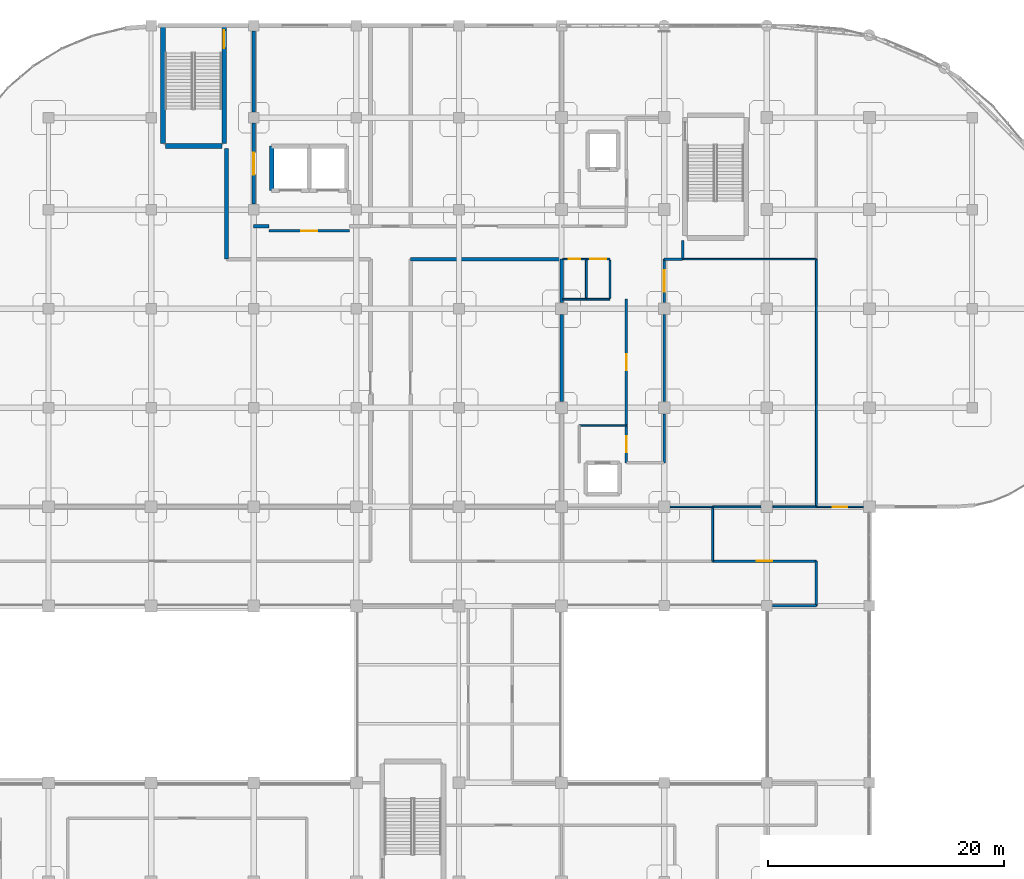
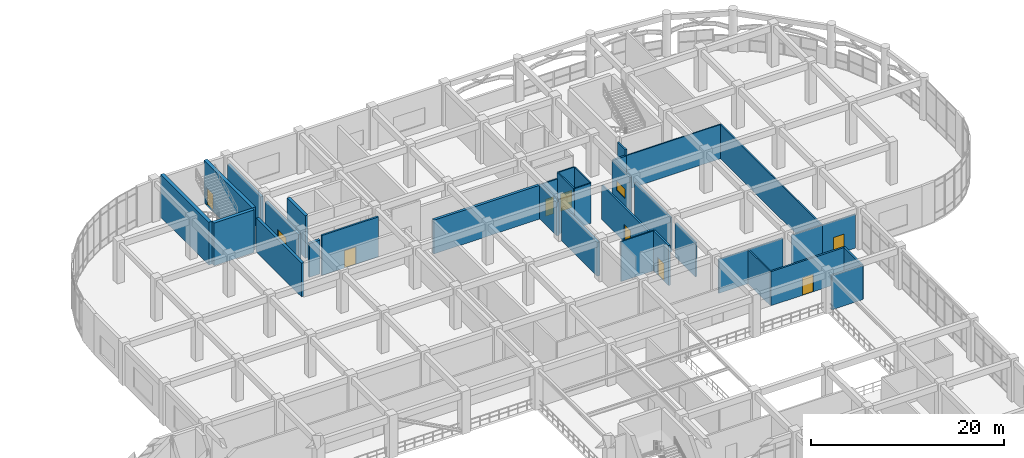
# One storey, part 97 of 114: 36 walls, 9 doors, 1 window, 10 openings.
"""IFC4 building model written with IfcOpenShell, lengths in metres."""

import ifcopenshell
import ifcopenshell.guid

model = None  # the IFC model being written
_history = None  # IfcOwnerHistory: only IFC2X3 demands one
_inside = {}  # id of a spatial element -> (the spatial element, [elements in it])
_under = {}  # id of a project, library or spatial element -> (it, [spatial elements below it])
_declared = {}  # id of a project -> (the project, [libraries it declares])
_typed = {}  # id of a type object -> (the type object, [elements of that type])
_made_of = {}  # id of a material, layer set ... -> (it, [elements and type objects made of it])


def new_model(schema):
    """Start an empty IFC model of exactly this schema.

    Asked for "IFC4X3", IfcOpenShell would pick the latest addendum, in which some entities
    have other attributes; the version numbers below select the first issue.
    IFC2X3 requires an IfcOwnerHistory on every rooted entity: one is made here for all.
    """
    global model, _history
    if schema == "IFC4X3":
        model = ifcopenshell.file(schema_version=(4, 3, 0, 0))
    else:
        model = ifcopenshell.file(schema=schema)
    _inside.clear()
    _under.clear()
    _declared.clear()
    _typed.clear()
    _made_of.clear()
    _history = None
    if model.schema == "IFC2X3":
        org = make("IfcOrganization", Name="unknown")
        user = make(
            "IfcPersonAndOrganization",
            ThePerson=make("IfcPerson", FamilyName="unknown"),
            TheOrganization=org,
        )
        app = make(
            "IfcApplication",
            ApplicationDeveloper=org,
            Version="unknown",
            ApplicationFullName="unknown",
            ApplicationIdentifier="unknown",
        )
        _history = make(
            "IfcOwnerHistory",
            OwningUser=user,
            OwningApplication=app,
            ChangeAction="ADDED",
            CreationDate=0,
        )
    return model


def make(cls, **values):
    """One entity of the class cls with the attributes given. An attribute that is None is left unset."""
    return model.create_entity(
        cls, **{name: value for name, value in values.items() if value is not None}
    )


def rooted(cls, **values):
    """An entity with a GlobalId (a new one), such as an element, a storey or a relation."""
    return make(cls, GlobalId=ifcopenshell.guid.new(), OwnerHistory=_history, **values)


def si_unit(unit_type, name, prefix=None):
    """IfcSIUnit, for example si_unit("LENGTHUNIT", "METRE", prefix="MILLI")."""
    return make("IfcSIUnit", UnitType=unit_type, Prefix=prefix, Name=name)


def derived_unit(unit_type, elements):
    """IfcDerivedUnit: a product of units, each with its exponent."""
    return make(
        "IfcDerivedUnit",
        Elements=[
            make("IfcDerivedUnitElement", Unit=unit, Exponent=power)
            for unit, power in elements
        ],
        UnitType=unit_type,
    )


def assignment(units):
    """IfcUnitAssignment: the units of a project."""
    return None if units is None else make("IfcUnitAssignment", Units=units)


def point(xyz):
    """IfcCartesianPoint."""
    return None if xyz is None else make("IfcCartesianPoint", Coordinates=xyz)


def direction(xyz):
    """IfcDirection."""
    return None if xyz is None else make("IfcDirection", DirectionRatios=xyz)


def frame(location, z_axis=None, x_axis=None):
    """IfcAxis2Placement3D, a coordinate frame: its origin and axes. An axis left out is left unset."""
    return make(
        "IfcAxis2Placement3D",
        Location=point(location),
        Axis=direction(z_axis),
        RefDirection=direction(x_axis),
    )


def frame_2d(location, x_axis=None):
    """IfcAxis2Placement2D, a coordinate frame in the plane: its origin and x axis."""
    return make(
        "IfcAxis2Placement2D", Location=point(location), RefDirection=direction(x_axis)
    )


def origin():
    """The frame at (0, 0, 0) with its axes left unset."""
    return frame((0.0, 0.0, 0.0))


def place(relative_to, where):
    """IfcLocalPlacement: puts the frame where relative to a parent placement (None: the world)."""
    return make(
        "IfcLocalPlacement", PlacementRelTo=relative_to, RelativePlacement=where
    )


def context(
    kind, dimensions, precision=None, world=None, true_north=None, identifier=None
):
    """IfcGeometricRepresentationContext, for example the 3D "Model" context."""
    return make(
        "IfcGeometricRepresentationContext",
        ContextIdentifier=identifier,
        ContextType=kind,
        CoordinateSpaceDimension=dimensions,
        Precision=precision,
        WorldCoordinateSystem=world,
        TrueNorth=true_north,
    )


def subcontext(parent, identifier, kind, view, scale=None):
    """IfcGeometricRepresentationSubContext, for example "Body" below "Model"."""
    return make(
        "IfcGeometricRepresentationSubContext",
        ContextIdentifier=identifier,
        ContextType=kind,
        ParentContext=parent,
        TargetScale=scale,
        TargetView=view,
    )


def project(units=None, contexts=None):
    """IfcProject with its units and contexts."""
    return rooted(
        "IfcProject",
        Name="project",
        RepresentationContexts=contexts,
        UnitsInContext=assignment(units),
    )


def spatial(cls, under=None, at=None, **own):
    """A site, building, storey or space (cls), placed at a placement, below another one or the project."""
    s = rooted(cls, ObjectPlacement=at, **own)
    if under is not None:
        _under.setdefault(under.id(), (under, []))[1].append(s)
    return s


def profile(cls, at=None, kind="AREA", **sizes):
    """A parametric profile (cls). Its sizes go by their IFC names, for example OverallWidth=200.0."""
    return make(cls, ProfileType=kind, Position=at, **sizes)


def rectangle(**sizes):
    """IfcRectangleProfileDef."""
    return profile("IfcRectangleProfileDef", **sizes)


def extrude(swept, where, along, depth):
    """IfcExtrudedAreaSolid: the profile swept, set in the frame where, extruded along a direction by depth."""
    return make(
        "IfcExtrudedAreaSolid",
        SweptArea=swept,
        Position=where,
        ExtrudedDirection=direction(along),
        Depth=depth,
    )


def shape(context_of_items, identifier, shape_type, items):
    """IfcShapeRepresentation: the items that make up one representation, for example the "Body"."""
    return make(
        "IfcShapeRepresentation",
        ContextOfItems=context_of_items,
        RepresentationIdentifier=identifier,
        RepresentationType=shape_type,
        Items=items,
    )


def material(Name=None, Category=None):
    """IfcMaterial."""
    return make("IfcMaterial", Name=Name, Category=Category)


def layer(
    of_material, thickness, ventilated=None, Name=None, Category=None, Priority=None
):
    """IfcMaterialLayer: one layer of a wall or slab, of a material (None: an air gap)."""
    return make(
        "IfcMaterialLayer",
        Material=of_material,
        LayerThickness=thickness,
        IsVentilated=ventilated,
        Name=Name,
        Category=Category,
        Priority=Priority,
    )


def layer_set(layers, Name=None):
    """IfcMaterialLayerSet."""
    return make("IfcMaterialLayerSet", MaterialLayers=layers, LayerSetName=Name)


def made_of(thing, what):
    """Note that an element or type object is made of a material, layer set ...; save() writes the relation."""
    if what is not None:
        _made_of.setdefault(what.id(), (what, []))[1].append(thing)
    return thing


def type_object(cls, material=None, **own):
    """A type object (cls), such as IfcWallType, which elements share."""
    return made_of(rooted(cls, **own), material)


def element(
    cls,
    number,
    at=None,
    inside=None,
    cuts=None,
    type_object=None,
    material=None,
    context=None,
    identifier="Body",
    shape_type=None,
    held_by="IfcProductDefinitionShape",
    body=None,
    shapes=None,
    **own,
):
    """One element of the class cls, such as IfcWall. Its Tag is "e" and its number.

    at: its placement. inside: the storey or other place that contains it. cuts: it is an
    opening in that element (IfcRelVoidsElement). A single representation is given by context,
    identifier, shape_type and body (its items); several are given by shapes. held_by: the class
    of the entity that holds the representations. save() writes the other relations.
    """
    e = rooted(cls, Tag="e%d" % number, ObjectPlacement=at, **own)
    if body is not None:
        shapes = [shape(context, identifier, shape_type, body)]
    if shapes is not None:
        e.Representation = make(held_by, Representations=shapes)
    if inside is not None:
        _inside.setdefault(inside.id(), (inside, []))[1].append(e)
    if cuts is not None:
        rooted(
            "IfcRelVoidsElement", RelatingBuildingElement=cuts, RelatedOpeningElement=e
        )
    if type_object is not None:
        _typed.setdefault(type_object.id(), (type_object, []))[1].append(e)
    return made_of(e, material)


def fill(opening, filler):
    """IfcRelFillsElement: the door or window that sits in an opening."""
    return rooted(
        "IfcRelFillsElement",
        RelatingOpeningElement=opening,
        RelatedBuildingElement=filler,
    )


def aggregate(whole, parts):
    """IfcRelAggregates: a whole, such as a stair, and the parts it consists of."""
    return rooted("IfcRelAggregates", RelatingObject=whole, RelatedObjects=parts)


def save(model, path):
    """Write the relations noted so far, then the file.

    IfcRelAggregates (storeys below a building ...), IfcRelContainedInSpatialStructure (elements
    in a storey), IfcRelDefinesByType, IfcRelAssociatesMaterial and IfcRelDeclares: one each for
    every whole, place, type object, material and project.
    """
    for whole, parts in _under.values():
        aggregate(whole, parts)
    for where, things in _inside.values():
        rooted(
            "IfcRelContainedInSpatialStructure",
            RelatedElements=things,
            RelatingStructure=where,
        )
    for kind, things in _typed.values():
        rooted("IfcRelDefinesByType", RelatedObjects=things, RelatingType=kind)
    for what, things in _made_of.values():
        rooted("IfcRelAssociatesMaterial", RelatedObjects=things, RelatingMaterial=what)
    for by, libraries in _declared.values():
        rooted("IfcRelDeclares", RelatingContext=by, RelatedDefinitions=libraries)
    model.write(path)


model = new_model("IFC4")

# Units and contexts
model_context = context("Model", 3, precision=1e-05, world=origin(), true_north=direction((0.0, 1.0)))
body_context = subcontext(model_context, "Body", "Model", "MODEL_VIEW")
ifc_project = project(units=[si_unit("LENGTHUNIT", "METRE"), si_unit("AREAUNIT", "SQUARE_METRE"), si_unit("VOLUMEUNIT", "CUBIC_METRE"), si_unit("PLANEANGLEUNIT", "RADIAN"), si_unit("MASSUNIT", "GRAM", prefix="KILO"), derived_unit("THERMALTRANSMITTANCEUNIT", [(si_unit("MASSUNIT", "GRAM", prefix="KILO"), 1), (si_unit("TIMEUNIT", "SECOND"), -3), (si_unit("THERMODYNAMICTEMPERATUREUNIT", "KELVIN"), -1)])], contexts=[model_context])

# Site, building, storey
site_placement = place(None, origin())
site = spatial("IfcSite", under=ifc_project, at=site_placement, CompositionType="ELEMENT")
building_placement = place(site_placement, origin())
building = spatial("IfcBuilding", under=site, at=building_placement, Name="Qinzheling Arcade Emporium", CompositionType="ELEMENT")
storey_placement = place(building_placement, frame((0.0, 0.0, 6.0)))
storey = spatial("IfcBuildingStorey", under=building, at=storey_placement, Name="L02", CompositionType="ELEMENT", Elevation=6.0)

# Wall, opening, door
ifc_material_1 = material(Name="Double-stud acoustic gypsum board partition")
ifc_layer_1 = layer(ifc_material_1, 0.215087890625, Name="Double-stud acoustic gypsum board partition")
ifc_layer_set_1 = layer_set([ifc_layer_1], Name="Double-stud acoustic gypsum board partition")
wall_type_1 = type_object("IfcWallType", Name="Acoustic Corridor Partition Wall 215", PredefinedType="PARTITIONING", material=ifc_layer_set_1)
wall_1_placement = place(storey_placement, frame((109.89990234375, 80.699951171875, 0.0), z_axis=(0.0, 0.0, 1.0), x_axis=(0.0, -1.0, 0.0)))
wall_1 = element("IfcWall", 1, at=wall_1_placement, inside=storey, type_object=wall_type_1, Name="Interior Wall WL-L02-INT-0289", PredefinedType="PARTITIONING", context=body_context, shape_type="SweptSolid", body=[
    extrude(rectangle(XDim=3.169921875, YDim=0.215087890625, at=frame_2d((1.5849609375, 0.0))), origin(), (0.0, 0.0, 1.0), 5.06005859375),
])
opening_1_placement = place(wall_1_placement, frame((0.909912109375, 0.0, 0.0)))
opening_1 = element("IfcOpeningElement", 2, at=opening_1_placement, cuts=wall_1, Name="Opening FD05", PredefinedType="OPENING", context=body_context, shape_type="SweptSolid", body=[
    extrude(rectangle(XDim=1.35009765625, YDim=2.199951171875, at=frame_2d((0.675048828125, 1.10009765625))), frame((0.0, 0.11767578125, 0.0), z_axis=(0.0, -1.0, 0.0), x_axis=(1.0, 0.0, 0.0)), (0.0, 0.0, 1.0), 0.235107421875),
])
ifc_material_2 = material(Name="Class B fire-rated stainless-clad door")
door_type_1 = type_object("IfcDoorType", Name="Kitchen Fire-Rated Service Door 1350x2200", OperationType="NOTDEFINED", PredefinedType="DOOR", material=ifc_material_2)
door_1_placement = place(opening_1_placement, origin())
door_1 = element("IfcDoor", 3, at=door_1_placement, inside=storey, type_object=door_type_1, Name="FD05 Interior Door DR-L02-INT-0082", OperationType="SINGLE_SWING_LEFT", OverallHeight=2.199951171875, OverallWidth=1.35009765625, PredefinedType="DOOR", context=body_context, shape_type="SweptSolid", body=[
    extrude(rectangle(XDim=1.35009765625, YDim=2.199951171875, at=frame_2d((0.675048828125, 1.10009765625))), frame((0.0, 0.02490234375, 0.0), z_axis=(0.0, -1.0, 0.0), x_axis=(1.0, 0.0, 0.0)), (0.0, 0.0, 1.0), 0.050048828125),
])
fill(opening_1, door_1)

wall_2_placement = place(storey_placement, frame((86.39990234375, 97.199951171875, 0.0), z_axis=(0.0, 0.0, 1.0), x_axis=(-1.0, 0.0, 0.0)))
wall_2 = element("IfcWall", 4, at=wall_2_placement, inside=storey, type_object=wall_type_1, Name="Interior Wall WL-L02-INT-0292", PredefinedType="PARTITIONING", context=body_context, shape_type="SweptSolid", body=[
    extrude(rectangle(XDim=6.7998046875, YDim=0.215087890625, at=frame_2d((3.39990234375, 0.0))), origin(), (0.0, 0.0, 1.0), 5.06005859375),
])
opening_2_placement = place(wall_2_placement, frame((2.72509765625, 0.0, 0.0)))
opening_2 = element("IfcOpeningElement", 5, at=opening_2_placement, cuts=wall_2, Name="Opening FD05", PredefinedType="OPENING", context=body_context, shape_type="SweptSolid", body=[
    extrude(rectangle(XDim=1.35009765625, YDim=2.199951171875, at=frame_2d((0.675048828125, 1.10009765625))), frame((0.0, 0.11767578125, 0.0), z_axis=(0.0, -1.0, 0.0), x_axis=(1.0, 0.0, 0.0)), (0.0, 0.0, 1.0), 0.235107421875),
])
door_2_placement = place(opening_2_placement, origin())
door_2 = element("IfcDoor", 6, at=door_2_placement, inside=storey, type_object=door_type_1, Name="FD05 Interior Door DR-L02-INT-0083", OperationType="SINGLE_SWING_RIGHT", OverallHeight=2.199951171875, OverallWidth=1.35009765625, PredefinedType="DOOR", context=body_context, shape_type="SweptSolid", body=[
    extrude(rectangle(XDim=1.35009765625, YDim=2.199951171875, at=frame_2d((0.675048828125, 1.10009765625))), frame((0.0, 0.02490234375, 0.0), z_axis=(0.0, -1.0, 0.0), x_axis=(1.0, 0.0, 0.0)), (0.0, 0.0, 1.0), 0.050048828125),
])
fill(opening_2, door_2)

wall_3_placement = place(storey_placement, frame((117.199951171875, 69.199951171875, 0.0), z_axis=(0.0, 0.0, 1.0), x_axis=(1.0, 0.0, 0.0)))
wall_3 = element("IfcWall", 7, at=wall_3_placement, inside=storey, type_object=wall_type_1, Name="Interior Wall WL-L02-INT-0352", PredefinedType="PARTITIONING", context=body_context, shape_type="SweptSolid", body=[
    extrude(rectangle(XDim=8.800048828125, YDim=0.215087890625, at=frame_2d((4.39990234375, 0.0))), origin(), (0.0, 0.0, 1.0), 4.31005859375),
])
opening_3_placement = place(wall_3_placement, frame((3.72509765625, 0.0, 0.0)))
opening_3 = element("IfcOpeningElement", 8, at=opening_3_placement, cuts=wall_3, Name="Opening FD05", PredefinedType="OPENING", context=body_context, shape_type="SweptSolid", body=[
    extrude(rectangle(XDim=1.35009765625, YDim=2.199951171875, at=frame_2d((0.675048828125, 1.10009765625))), frame((0.0, 0.11767578125, 0.0), z_axis=(0.0, -1.0, 0.0), x_axis=(1.0, 0.0, 0.0)), (0.0, 0.0, 1.0), 0.235107421875),
])
door_3_placement = place(opening_3_placement, origin())
door_3 = element("IfcDoor", 9, at=door_3_placement, inside=storey, type_object=door_type_1, Name="FD05 Interior Door DR-L02-INT-0105", OperationType="SINGLE_SWING_RIGHT", OverallHeight=2.199951171875, OverallWidth=1.35009765625, PredefinedType="DOOR", context=body_context, shape_type="SweptSolid", body=[
    extrude(rectangle(XDim=1.35009765625, YDim=2.199951171875, at=frame_2d((0.675048828125, 1.10009765625))), frame((0.0, 0.02490234375, 0.0), z_axis=(0.0, -1.0, 0.0), x_axis=(1.0, 0.0, 0.0)), (0.0, 0.0, 1.0), 0.050048828125),
])
fill(opening_3, door_3)

# Walls
wall_4_placement = place(storey_placement, frame((126.0, 69.199951171875, 0.0), z_axis=(0.0, 0.0, 1.0), x_axis=(0.0, -1.0, 0.0)))
element("IfcWall", 10, at=wall_4_placement, inside=storey, type_object=wall_type_1, Name="Interior Wall WL-L02-INT-0353", PredefinedType="PARTITIONING", context=body_context, shape_type="SweptSolid", body=[
    extrude(rectangle(XDim=3.800048828125, YDim=0.215087890625, at=frame_2d((1.89990234375, 0.0))), origin(), (0.0, 0.0, 1.0), 4.31005859375),
])
wall_5_placement = place(storey_placement, frame((126.0, 65.39990234375, 0.0), z_axis=(0.0, 0.0, 1.0), x_axis=(-1.0, 0.0, 0.0)))
element("IfcWall", 11, at=wall_5_placement, inside=storey, type_object=wall_type_1, Name="Interior Wall WL-L02-INT-0354", PredefinedType="PARTITIONING", context=body_context, shape_type="SweptSolid", body=[
    extrude(rectangle(XDim=3.739990234375, YDim=0.215087890625, at=frame_2d((1.8701171875, 0.0))), origin(), (0.0, 0.0, 1.0), 4.31005859375),
])
wall_6_placement = place(storey_placement, frame((114.655029296875, 94.800048828125, 0.0), z_axis=(0.0, 0.0, 1.0), x_axis=(-1.0, 0.0, 0.0)))
element("IfcWall", 12, at=wall_6_placement, inside=storey, type_object=wall_type_1, Name="Interior Wall WL-L02-INT-0372", PredefinedType="PARTITIONING", context=body_context, shape_type="SweptSolid", body=[
    extrude(rectangle(XDim=1.554931640625, YDim=0.215087890625, at=frame_2d((0.77734375, 0.0))), origin(), (0.0, 0.0, 1.0), 4.324951171875),
])

# Wall, opening, window
wall_7_placement = place(storey_placement, frame((113.10009765625, 94.800048828125, 0.0), z_axis=(0.0, 0.0, 1.0), x_axis=(0.0, -1.0, 0.0)))
wall_7 = element("IfcWall", 13, at=wall_7_placement, inside=storey, type_object=wall_type_1, Name="Interior Wall WL-L02-INT-0373", PredefinedType="PARTITIONING", context=body_context, shape_type="SweptSolid", body=[
    extrude(rectangle(XDim=3.68994140625, YDim=0.215087890625, at=frame_2d((1.844970703125, 0.0))), origin(), (0.0, 0.0, 1.0), 4.324951171875),
])
opening_4_placement = place(wall_7_placement, frame((0.945068359375, 0.0, 1.050048828125)))
opening_4 = element("IfcOpeningElement", 14, at=opening_4_placement, cuts=wall_7, Name="Opening IW02", PredefinedType="OPENING", context=body_context, shape_type="SweptSolid", body=[
    extrude(rectangle(XDim=1.800048828125, YDim=1.199951171875, at=frame_2d((0.89990234375, 0.60009765625))), frame((0.0, 0.11767578125, 0.0), z_axis=(0.0, -1.0, 0.0), x_axis=(1.0, 0.0, 0.0)), (0.0, 0.0, 1.0), 0.235107421875),
])
ifc_material_3 = material(Name="EI 60 fire-resistant clear safety glazing in steel frame", Category="steel")
window_type = type_object("IfcWindowType", Name="Interior Fire-Glazed Observation Window 1800x1200", PartitioningType="DOUBLE_PANEL_VERTICAL", PredefinedType="USERDEFINED", material=ifc_material_3)
window_placement = place(opening_4_placement, origin())
window = element("IfcWindow", 15, at=window_placement, inside=storey, type_object=window_type, Name="Interior Observation Window IWN-L02-01", ObjectType="BORROWED_LIGHT", OverallHeight=1.199951171875, OverallWidth=1.800048828125, PartitioningType="DOUBLE_PANEL_VERTICAL", PredefinedType="USERDEFINED", context=body_context, shape_type="SweptSolid", body=[
    extrude(rectangle(XDim=1.800048828125, YDim=1.199951171875, at=frame_2d((0.89990234375, 0.60009765625))), frame((0.0, 0.030029296875, 0.0), z_axis=(0.0, -1.0, 0.0), x_axis=(1.0, 0.0, 0.0)), (0.0, 0.0, 1.0), 0.06005859375),
])
fill(opening_4, window)

# Walls
wall_8_placement = place(storey_placement, frame((113.10009765625, 90.090087890625, 0.0), z_axis=(0.0, 0.0, 1.0), x_axis=(0.0, -1.0, 0.0)))
element("IfcWall", 16, at=wall_8_placement, inside=storey, type_object=wall_type_1, Name="Interior Wall WL-L02-INT-0374", PredefinedType="PARTITIONING", context=body_context, shape_type="SweptSolid", body=[
    extrude(rectangle(XDim=7.380126953125, YDim=0.215087890625, at=frame_2d((3.68994140625, 0.0))), origin(), (0.0, 0.0, 1.0), 4.324951171875),
])
wall_9_placement = place(storey_placement, frame((113.10009765625, 81.68994140625, 0.0), z_axis=(0.0, 0.0, 1.0), x_axis=(0.0, -1.0, 0.0)))
element("IfcWall", 17, at=wall_9_placement, inside=storey, type_object=wall_type_1, Name="Interior Wall WL-L02-INT-0375", PredefinedType="PARTITIONING", context=body_context, shape_type="SweptSolid", body=[
    extrude(rectangle(XDim=4.159912109375, YDim=0.215087890625, at=frame_2d((2.080078125, 0.0))), origin(), (0.0, 0.0, 1.0), 4.324951171875),
])

# Wall, opening, door
wall_10_placement = place(storey_placement, frame((109.89990234375, 80.699951171875, 0.0), z_axis=(0.0, 0.0, 1.0), x_axis=(0.0, 1.0, 0.0)))
wall_10 = element("IfcWall", 18, at=wall_10_placement, inside=storey, type_object=wall_type_1, Name="Interior Wall WL-L02-INT-0377", PredefinedType="PARTITIONING", context=body_context, shape_type="SweptSolid", body=[
    extrude(rectangle(XDim=10.699951171875, YDim=0.215087890625, at=frame_2d((5.35009765625, 0.0))), origin(), (0.0, 0.0, 1.0), 4.324951171875),
])
opening_5_placement = place(wall_10_placement, frame((4.675048828125, 0.0, 0.0)))
opening_5 = element("IfcOpeningElement", 19, at=opening_5_placement, cuts=wall_10, Name="Opening FD05", PredefinedType="OPENING", context=body_context, shape_type="SweptSolid", body=[
    extrude(rectangle(XDim=1.35009765625, YDim=2.199951171875, at=frame_2d((0.675048828125, 1.10009765625))), frame((0.0, 0.11767578125, 0.0), z_axis=(0.0, -1.0, 0.0), x_axis=(1.0, 0.0, 0.0)), (0.0, 0.0, 1.0), 0.235107421875),
])
door_4_placement = place(opening_5_placement, origin())
door_4 = element("IfcDoor", 20, at=door_4_placement, inside=storey, type_object=door_type_1, Name="FD05 Interior Door DR-L02-INT-0112", OperationType="SINGLE_SWING_LEFT", OverallHeight=2.199951171875, OverallWidth=1.35009765625, PredefinedType="DOOR", context=body_context, shape_type="SweptSolid", body=[
    extrude(rectangle(XDim=1.35009765625, YDim=2.199951171875, at=frame_2d((0.675048828125, 1.10009765625))), frame((0.0, 0.02490234375, 0.0), z_axis=(0.0, -1.0, 0.0), x_axis=(1.0, 0.0, 0.0)), (0.0, 0.0, 1.0), 0.050048828125),
])
fill(opening_5, door_4)

# Wall
wall_11_placement = place(storey_placement, frame((114.655029296875, 96.39990234375, 0.0), z_axis=(0.0, 0.0, 1.0), x_axis=(0.0, -1.0, 0.0)))
element("IfcWall", 21, at=wall_11_placement, inside=storey, type_object=wall_type_1, Name="Interior Wall WL-L02-INT-0382", PredefinedType="PARTITIONING", context=body_context, shape_type="SweptSolid", body=[
    extrude(rectangle(XDim=1.599853515625, YDim=0.215087890625, at=frame_2d((0.7998046875, 0.0))), origin(), (0.0, 0.0, 1.0), 5.06005859375),
])

# Wall, opening, door
ifc_material_4 = material(Name="Galvanised stud back-of-house partition")
ifc_layer_2 = layer(ifc_material_4, 0.1201171875, Name="Galvanised stud back-of-house partition")
ifc_layer_set_2 = layer_set([ifc_layer_2], Name="Galvanised stud back-of-house partition")
wall_type_2 = type_object("IfcWallType", Name="Back-of-House Partition Wall 120", PredefinedType="PARTITIONING", material=ifc_layer_set_2)
wall_12_placement = place(storey_placement, frame((126.0, 73.800048828125, 0.0), z_axis=(0.0, 0.0, 1.0), x_axis=(1.0, 0.0, 0.0)))
wall_12 = element("IfcWall", 22, at=wall_12_placement, inside=storey, type_object=wall_type_2, Name="Interior Wall WL-L02-INT-0412", PredefinedType="PARTITIONING", context=body_context, shape_type="SweptSolid", body=[
    extrude(rectangle(XDim=3.989990234375, YDim=0.1201171875, at=frame_2d((1.9951171875, 0.0))), origin(), (0.0, 0.0, 1.0), 4.31005859375),
])
opening_6_placement = place(wall_12_placement, frame((1.3701171875, 0.0, 0.0)))
opening_6 = element("IfcOpeningElement", 23, at=opening_6_placement, cuts=wall_12, Name="Opening D09", PredefinedType="OPENING", context=body_context, shape_type="SweptSolid", body=[
    extrude(rectangle(XDim=1.25, YDim=2.25, at=frame_2d((0.625, 1.125))), frame((0.0, 0.070068359375, 0.0), z_axis=(0.0, -1.0, 0.0), x_axis=(1.0, 0.0, 0.0)), (0.0, 0.0, 1.0), 0.14013671875),
])
ifc_material_5 = material(Name="Acoustic walnut veneer door")
door_type_2 = type_object("IfcDoorType", Name="Conference Suite Door 1250x2250", OperationType="NOTDEFINED", PredefinedType="DOOR", material=ifc_material_5)
door_5_placement = place(opening_6_placement, origin())
door_5 = element("IfcDoor", 24, at=door_5_placement, inside=storey, type_object=door_type_2, Name="D09 Interior Door DR-L02-INT-0113", OperationType="SINGLE_SWING_RIGHT", OverallHeight=2.25, OverallWidth=1.25, PredefinedType="DOOR", context=body_context, shape_type="SweptSolid", body=[
    extrude(rectangle(XDim=1.25, YDim=2.25, at=frame_2d((0.625, 1.125))), frame((0.0, 0.02490234375, 0.0), z_axis=(0.0, -1.0, 0.0), x_axis=(1.0, 0.0, 0.0)), (0.0, 0.0, 1.0), 0.050048828125),
])
fill(opening_6, door_5)

# Walls
ifc_material_6 = material(Name="Demountable aluminium-and-gypsum retail partition", Category="aluminium")
ifc_layer_3 = layer(ifc_material_6, 0.1650390625, Name="Demountable aluminium-and-gypsum retail partition", Category="aluminium")
ifc_layer_set_3 = layer_set([ifc_layer_3], Name="Demountable aluminium-and-gypsum retail partition")
wall_type_3 = type_object("IfcWallType", Name="Boutique Demountable Partition Wall 165", PredefinedType="PARTITIONING", material=ifc_layer_set_3)
wall_13_placement = place(storey_placement, frame((117.199951171875, 69.199951171875, 0.0), z_axis=(0.0, 0.0, 1.0), x_axis=(0.0, 1.0, 0.0)))
element("IfcWall", 25, at=wall_13_placement, inside=storey, type_object=wall_type_3, Name="Interior Wall WL-L02-INT-0413", PredefinedType="PARTITIONING", context=body_context, shape_type="SweptSolid", body=[
    extrude(rectangle(XDim=4.60009765625, YDim=0.1650390625, at=frame_2d((2.300048828125, 0.0))), origin(), (0.0, 0.0, 1.0), 4.31005859375),
])
wall_14_placement = place(storey_placement, frame((126.0, 94.800048828125, 0.0), z_axis=(0.0, 0.0, 1.0), x_axis=(0.0, -1.0, 0.0)))
element("IfcWall", 26, at=wall_14_placement, inside=storey, type_object=wall_type_3, Name="Interior Wall WL-L02-INT-0422", PredefinedType="PARTITIONING", context=body_context, shape_type="SweptSolid", body=[
    extrude(rectangle(XDim=21.0, YDim=0.1650390625, at=frame_2d((10.5, 0.0))), origin(), (0.0, 0.0, 1.0), 4.31005859375),
])
ifc_material_7 = material(Name="Glazed-transom steel-stud office partition", Category="steel")
ifc_layer_4 = layer(ifc_material_7, 0.135009765625, Name="Glazed-transom steel-stud office partition", Category="steel")
ifc_layer_set_4 = layer_set([ifc_layer_4], Name="Glazed-transom steel-stud office partition")
wall_type_4 = type_object("IfcWallType", Name="Buying Office Acoustic Partition Wall 135", PredefinedType="PARTITIONING", material=ifc_layer_set_4)
wall_15_placement = place(storey_placement, frame((105.89990234375, 80.699951171875, 0.0), z_axis=(0.0, 0.0, 1.0), x_axis=(1.0, 0.0, 0.0)))
element("IfcWall", 27, at=wall_15_placement, inside=storey, type_object=wall_type_4, Name="Interior Wall WL-L02-INT-0291", PredefinedType="PARTITIONING", context=body_context, shape_type="SweptSolid", body=[
    extrude(rectangle(XDim=4.0, YDim=0.135009765625, at=frame_2d((2.0, 0.0))), origin(), (0.0, 0.0, 1.0), 5.06005859375),
])
ifc_material_8 = material(Name="Lightweight gypsum studio partition")
ifc_layer_5 = layer(ifc_material_8, 0.125, Name="Lightweight gypsum studio partition")
ifc_layer_set_5 = layer_set([ifc_layer_5], Name="Lightweight gypsum studio partition")
wall_type_5 = type_object("IfcWallType", Name="Merchandising Studio Partition Wall 125", PredefinedType="PARTITIONING", material=ifc_layer_set_5)
wall_16_placement = place(storey_placement, frame((117.199951171875, 73.800048828125, 0.0), z_axis=(0.0, 0.0, 1.0), x_axis=(-1.0, 0.0, 0.0)))
element("IfcWall", 28, at=wall_16_placement, inside=storey, type_object=wall_type_5, Name="Interior Wall WL-L02-INT-0424", PredefinedType="PARTITIONING", context=body_context, shape_type="SweptSolid", body=[
    extrude(rectangle(XDim=3.58984375, YDim=0.125, at=frame_2d((1.794921875, 0.0))), origin(), (0.0, 0.0, 1.0), 4.31005859375),
])
ifc_material_9 = material(Name="Moisture-resistant shaftliner gypsum board")
ifc_layer_6 = layer(ifc_material_9, 0.155029296875, Name="Moisture-resistant shaftliner gypsum board")
ifc_layer_set_6 = layer_set([ifc_layer_6], Name="Moisture-resistant shaftliner gypsum board")
wall_type_6 = type_object("IfcWallType", Name="Plumbing and Service Riser Wall 155", PredefinedType="MOVABLE", material=ifc_layer_set_6)
wall_17_placement = place(storey_placement, frame((106.5, 94.800048828125, 0.0), z_axis=(0.0, 0.0, 1.0), x_axis=(0.0, -1.0, 0.0)))
element("IfcWall", 29, at=wall_17_placement, inside=storey, type_object=wall_type_6, Name="Interior Wall WL-L02-INT-0301", PredefinedType="MOVABLE", context=body_context, shape_type="SweptSolid", body=[
    extrude(rectangle(XDim=3.400146484375, YDim=0.155029296875, at=frame_2d((1.7001953125, 0.0))), origin(), (0.0, 0.0, 1.0), 5.06005859375),
])

# Wall, opening, door
wall_18_placement = place(storey_placement, frame((106.5, 94.800048828125, 0.0), z_axis=(0.0, 0.0, 1.0), x_axis=(1.0, 0.0, 0.0)))
wall_18 = element("IfcWall", 30, at=wall_18_placement, inside=storey, type_object=wall_type_6, Name="Interior Wall WL-L02-INT-0304", PredefinedType="MOVABLE", context=body_context, shape_type="SweptSolid", body=[
    extrude(rectangle(XDim=2.0, YDim=0.155029296875, at=frame_2d((1.0, 0.0))), origin(), (0.0, 0.0, 1.0), 5.06005859375),
])
opening_7_placement = place(wall_18_placement, frame((0.324951171875, 0.0, 0.0)))
opening_7 = element("IfcOpeningElement", 31, at=opening_7_placement, cuts=wall_18, Name="Opening FD05", PredefinedType="OPENING", context=body_context, shape_type="SweptSolid", body=[
    extrude(rectangle(XDim=1.35009765625, YDim=2.199951171875, at=frame_2d((0.675048828125, 1.10009765625))), frame((0.0, 0.08740234375, 0.0), z_axis=(0.0, -1.0, 0.0), x_axis=(1.0, 0.0, 0.0)), (0.0, 0.0, 1.0), 0.175048828125),
])
door_6_placement = place(opening_7_placement, origin())
door_6 = element("IfcDoor", 32, at=door_6_placement, inside=storey, type_object=door_type_1, Name="FD05 Interior Door DR-L02-INT-0088", OperationType="SINGLE_SWING_LEFT", OverallHeight=2.199951171875, OverallWidth=1.35009765625, PredefinedType="DOOR", context=body_context, shape_type="SweptSolid", body=[
    extrude(rectangle(XDim=1.35009765625, YDim=2.199951171875, at=frame_2d((0.675048828125, 1.10009765625))), frame((0.0, 0.02490234375, 0.0), z_axis=(0.0, -1.0, 0.0), x_axis=(1.0, 0.0, 0.0)), (0.0, 0.0, 1.0), 0.050048828125),
])
fill(opening_7, door_6)

# Walls
ifc_material_10 = material(Name="Concrete C40", Category="concrete")
ifc_layer_7 = layer(ifc_material_10, 0.35009765625, Name="Concrete C40", Category="concrete")
ifc_layer_set_7 = layer_set([ifc_layer_7], Name="Concrete C40")
wall_type_7 = type_object("IfcWallType", Name="RC Lift Shaft Shear Wall 350 C40", PredefinedType="SHEAR", material=ifc_layer_set_7)
wall_19_placement = place(storey_placement, frame((79.824951171875, 100.625, 0.0), z_axis=(0.0, 0.0, 1.0), x_axis=(0.0, 1.0, 0.0)))
element("IfcWall", 33, at=wall_19_placement, inside=storey, type_object=wall_type_7, Name="Lift Shaft Wall WL-L02-LFT-LG01-W", PredefinedType="SHEAR", context=body_context, shape_type="SweptSolid", body=[
    extrude(rectangle(XDim=3.75, YDim=0.35009765625, at=frame_2d((1.875, 0.0))), origin(), (0.0, 0.0, 1.0), 5.39990234375),
])
ifc_material_11 = material(Name="Concrete C50", Category="concrete")
ifc_layer_8 = layer(ifc_material_11, 0.39990234375, Name="Concrete C50", Category="concrete")
ifc_layer_set_8 = layer_set([ifc_layer_8], Name="Concrete C50")
wall_type_8 = type_object("IfcWallType", Name="RC Stair Core Shear Wall 400 C50", PredefinedType="SHEAR", material=ifc_layer_set_8)
wall_20_placement = place(storey_placement, frame((70.60009765625, 104.60009765625, 0.0), z_axis=(0.0, 0.0, 1.0), x_axis=(0.0, 1.0, 0.0)))
element("IfcWall", 34, at=wall_20_placement, inside=storey, type_object=wall_type_8, Name="Stair Core Wall WL-L02-ST07-WEST", PredefinedType="SHEAR", context=body_context, shape_type="SweptSolid", body=[
    extrude(rectangle(XDim=10.0, YDim=0.39990234375, at=frame_2d((5.0, 0.0))), origin(), (0.0, 0.0, 1.0), 5.39990234375),
])

# Wall, opening, door
wall_21_placement = place(storey_placement, frame((75.7900390625, 114.60009765625, 0.0), z_axis=(0.0, 0.0, 1.0), x_axis=(0.0, -1.0, 0.0)))
wall_21 = element("IfcWall", 35, at=wall_21_placement, inside=storey, type_object=wall_type_8, Name="Stair Core Wall WL-L02-ST07-EAST", PredefinedType="SHEAR", context=body_context, shape_type="SweptSolid", body=[
    extrude(rectangle(XDim=10.0, YDim=0.39990234375, at=frame_2d((5.0, 0.0))), origin(), (0.0, 0.0, 1.0), 5.39990234375),
])
opening_8_placement = place(wall_21_placement, frame((0.409912109375, 0.0, 0.0)))
opening_8 = element("IfcOpeningElement", 36, at=opening_8_placement, cuts=wall_21, Name="Opening FD01", PredefinedType="OPENING", context=body_context, shape_type="SweptSolid", body=[
    extrude(rectangle(XDim=1.5, YDim=2.199951171875, at=frame_2d((0.75, 1.10009765625))), frame((0.0, 0.2099609375, 0.0), z_axis=(0.0, -1.0, 0.0), x_axis=(1.0, 0.0, 0.0)), (0.0, 0.0, 1.0), 0.419921875),
])
ifc_material_12 = material(Name="Class A fire-rated steel double door", Category="steel")
door_type_3 = type_object("IfcDoorType", Name="Stairwell Smoke-Proof Fire Door 1500x2200", OperationType="DOUBLE_DOOR_SINGLE_SWING", PredefinedType="DOOR", material=ifc_material_12)
door_7_placement = place(opening_8_placement, origin())
door_7 = element("IfcDoor", 37, at=door_7_placement, inside=storey, type_object=door_type_3, Name="FD01 Stairwell Fire Door DR-L02-ST07-FD", OperationType="DOUBLE_DOOR_SINGLE_SWING", OverallHeight=2.199951171875, OverallWidth=1.5, PredefinedType="DOOR", context=body_context, shape_type="SweptSolid", body=[
    extrude(rectangle(XDim=1.5, YDim=2.199951171875, at=frame_2d((0.75, 1.10009765625))), frame((0.0, 0.02490234375, 0.0), z_axis=(0.0, -1.0, 0.0), x_axis=(1.0, 0.0, 0.0)), (0.0, 0.0, 1.0), 0.050048828125),
])
fill(opening_8, door_7)

# Walls
wall_22_placement = place(storey_placement, frame((75.590087890625, 104.39990234375, 0.0), z_axis=(0.0, 0.0, 1.0), x_axis=(-1.0, 0.0, 0.0)))
element("IfcWall", 38, at=wall_22_placement, inside=storey, type_object=wall_type_8, Name="Stair Core Wall WL-L02-ST07-SOUTH", PredefinedType="SHEAR", context=body_context, shape_type="SweptSolid", body=[
    extrude(rectangle(XDim=4.7900390625, YDim=0.39990234375, at=frame_2d((2.39501953125, 0.0))), origin(), (0.0, 0.0, 1.0), 5.39990234375),
])
ifc_material_13 = material(Name="Autoclaved aerated concrete masonry with fire plaster", Category="masonry")
ifc_layer_9 = layer(ifc_material_13, 0.31005859375, Name="Autoclaved aerated concrete masonry with fire plaster", Category="masonry")
ifc_layer_set_9 = layer_set([ifc_layer_9], Name="Autoclaved aerated concrete masonry with fire plaster")
wall_type_9 = type_object("IfcWallType", Name="Retail Compartment Fire Wall 310 C40", PredefinedType="STANDARD", material=ifc_layer_set_9)
wall_23_placement = place(storey_placement, frame((75.989990234375, 94.800048828125, 0.0), z_axis=(0.0, 0.0, 1.0), x_axis=(0.0, 1.0, 0.0)))
element("IfcWall", 39, at=wall_23_placement, inside=storey, type_object=wall_type_9, Name="Interior Wall WL-L02-INT-0364", PredefinedType="STANDARD", context=body_context, shape_type="SweptSolid", body=[
    extrude(rectangle(XDim=9.39990234375, YDim=0.31005859375, at=frame_2d((4.699951171875, 0.0))), origin(), (0.0, 0.0, 1.0), 4.280029296875),
])
wall_24_placement = place(storey_placement, frame((78.300048828125, 114.139892578125, 0.0), z_axis=(0.0, 0.0, 1.0), x_axis=(0.0, -1.0, 0.0)))
element("IfcWall", 40, at=wall_24_placement, inside=storey, type_object=wall_type_9, Name="Interior Wall WL-L02-INT-0365", PredefinedType="STANDARD", context=body_context, shape_type="SweptSolid", body=[
    extrude(rectangle(XDim=6.8798828125, YDim=0.31005859375, at=frame_2d((3.43994140625, 0.0))), origin(), (0.0, 0.0, 1.0), 4.280029296875),
])

# Wall, opening, door
wall_25_placement = place(storey_placement, frame((78.300048828125, 106.340087890625, 0.0), z_axis=(0.0, 0.0, 1.0), x_axis=(0.0, -1.0, 0.0)))
wall_25 = element("IfcWall", 41, at=wall_25_placement, inside=storey, type_object=wall_type_9, Name="Interior Wall WL-L02-INT-0366", PredefinedType="STANDARD", context=body_context, shape_type="SweptSolid", body=[
    extrude(rectangle(XDim=6.880126953125, YDim=0.31005859375, at=frame_2d((3.43994140625, 0.0))), origin(), (0.0, 0.0, 1.0), 4.280029296875),
])
opening_9_placement = place(wall_25_placement, frame((2.514892578125, 0.0, 0.0)))
opening_9 = element("IfcOpeningElement", 42, at=opening_9_placement, cuts=wall_25, Name="Opening FD03", PredefinedType="OPENING", context=body_context, shape_type="SweptSolid", body=[
    extrude(rectangle(XDim=1.85009765625, YDim=2.300048828125, at=frame_2d((0.925048828125, 1.14990234375))), frame((0.0, 0.1650390625, 0.0), z_axis=(0.0, -1.0, 0.0), x_axis=(1.0, 0.0, 0.0)), (0.0, 0.0, 1.0), 0.330078125),
])
door_type_4 = type_object("IfcDoorType", Name="Stockroom Double Fire Door 1850x2300", OperationType="DOUBLE_DOOR_SINGLE_SWING", PredefinedType="DOOR", material=ifc_material_12)
door_8_placement = place(opening_9_placement, origin())
door_8 = element("IfcDoor", 43, at=door_8_placement, inside=storey, type_object=door_type_4, Name="FD03 Interior Door DR-L02-INT-0109", OperationType="DOUBLE_DOOR_SINGLE_SWING", OverallHeight=2.300048828125, OverallWidth=1.85009765625, PredefinedType="DOOR", context=body_context, shape_type="SweptSolid", body=[
    extrude(rectangle(XDim=1.85009765625, YDim=2.300048828125, at=frame_2d((0.925048828125, 1.14990234375))), frame((0.0, 0.02490234375, 0.0), z_axis=(0.0, -1.0, 0.0), x_axis=(1.0, 0.0, 0.0)), (0.0, 0.0, 1.0), 0.050048828125),
])
fill(opening_9, door_8)

# Walls
wall_26_placement = place(storey_placement, frame((78.300048828125, 97.60009765625, 0.0), z_axis=(0.0, 0.0, 1.0), x_axis=(1.0, 0.0, 0.0)))
element("IfcWall", 44, at=wall_26_placement, inside=storey, type_object=wall_type_9, Name="Interior Wall WL-L02-INT-0367", PredefinedType="STANDARD", context=body_context, shape_type="SweptSolid", body=[
    extrude(rectangle(XDim=1.300048828125, YDim=0.31005859375, at=frame_2d((0.64990234375, 0.0))), origin(), (0.0, 0.0, 1.0), 4.280029296875),
])
wall_27_placement = place(storey_placement, frame((104.39990234375, 94.800048828125, 0.0), z_axis=(0.0, 0.0, 1.0), x_axis=(-1.0, 0.0, 0.0)))
element("IfcWall", 45, at=wall_27_placement, inside=storey, type_object=wall_type_9, Name="Interior Wall WL-L02-INT-0369", PredefinedType="STANDARD", context=body_context, shape_type="SweptSolid", body=[
    extrude(rectangle(XDim=12.7998046875, YDim=0.31005859375, at=frame_2d((6.39990234375, 0.0))), origin(), (0.0, 0.0, 1.0), 4.280029296875),
])
wall_28_placement = place(storey_placement, frame((104.39990234375, 94.800048828125, 0.0), z_axis=(0.0, 0.0, 1.0), x_axis=(0.0, -1.0, 0.0)))
element("IfcWall", 46, at=wall_28_placement, inside=storey, type_object=wall_type_9, Name="Interior Wall WL-L02-INT-0416", PredefinedType="STANDARD", context=body_context, shape_type="SweptSolid", body=[
    extrude(rectangle(XDim=3.68994140625, YDim=0.31005859375, at=frame_2d((1.844970703125, 0.0))), origin(), (0.0, 0.0, 1.0), 4.280029296875),
])
wall_29_placement = place(storey_placement, frame((104.39990234375, 90.090087890625, 0.0), z_axis=(0.0, 0.0, 1.0), x_axis=(0.0, -1.0, 0.0)))
element("IfcWall", 47, at=wall_29_placement, inside=storey, type_object=wall_type_9, Name="Interior Wall WL-L02-INT-0417", PredefinedType="STANDARD", context=body_context, shape_type="SweptSolid", body=[
    extrude(rectangle(XDim=7.380126953125, YDim=0.31005859375, at=frame_2d((3.68994140625, 0.0))), origin(), (0.0, 0.0, 1.0), 4.280029296875),
])
ifc_material_14 = material(Name="Steel-stud showroom partition", Category="steel")
ifc_layer_10 = layer(ifc_material_14, 0.159912109375, Name="Steel-stud showroom partition", Category="steel")
ifc_layer_set_10 = layer_set([ifc_layer_10], Name="Steel-stud showroom partition")
wall_type_10 = type_object("IfcWallType", Name="Showroom Partition Wall 160", PredefinedType="PARTITIONING", material=ifc_layer_set_10)
wall_30_placement = place(storey_placement, frame((117.199951171875, 73.800048828125, 0.0), z_axis=(0.0, 0.0, 1.0), x_axis=(1.0, 0.0, 0.0)))
element("IfcWall", 48, at=wall_30_placement, inside=storey, type_object=wall_type_10, Name="Interior Wall WL-L02-INT-0410", PredefinedType="PARTITIONING", context=body_context, shape_type="SweptSolid", body=[
    extrude(rectangle(XDim=4.090087890625, YDim=0.159912109375, at=frame_2d((2.044921875, 0.0))), origin(), (0.0, 0.0, 1.0), 4.31005859375),
])
wall_31_placement = place(storey_placement, frame((122.31005859375, 73.800048828125, 0.0), z_axis=(0.0, 0.0, 1.0), x_axis=(1.0, 0.0, 0.0)))
element("IfcWall", 49, at=wall_31_placement, inside=storey, type_object=wall_type_10, Name="Interior Wall WL-L02-INT-0411", PredefinedType="PARTITIONING", context=body_context, shape_type="SweptSolid", body=[
    extrude(rectangle(XDim=3.68994140625, YDim=0.159912109375, at=frame_2d((1.844970703125, 0.0))), origin(), (0.0, 0.0, 1.0), 4.31005859375),
])

# Wall, opening, door
ifc_material_15 = material(Name="Moisture-resistant cement-board WC partition")
ifc_layer_11 = layer(ifc_material_15, 0.14501953125, Name="Moisture-resistant cement-board WC partition")
ifc_layer_set_11 = layer_set([ifc_layer_11], Name="Moisture-resistant cement-board WC partition")
wall_type_11 = type_object("IfcWallType", Name="Washroom Moisture Partition Wall 145", PredefinedType="PARTITIONING", material=ifc_layer_set_11)
wall_32_placement = place(storey_placement, frame((104.5, 94.800048828125, 0.0), z_axis=(0.0, 0.0, 1.0), x_axis=(1.0, 0.0, 0.0)))
wall_32 = element("IfcWall", 50, at=wall_32_placement, inside=storey, type_object=wall_type_11, Name="Interior Wall WL-L02-INT-0302", PredefinedType="PARTITIONING", context=body_context, shape_type="SweptSolid", body=[
    extrude(rectangle(XDim=2.0, YDim=0.14501953125, at=frame_2d((1.0, 0.0))), origin(), (0.0, 0.0, 1.0), 4.280029296875),
])
opening_10_placement = place(wall_32_placement, frame((0.52490234375, 0.0, 0.0)))
opening_10 = element("IfcOpeningElement", 51, at=opening_10_placement, cuts=wall_32, Name="Opening D12", PredefinedType="OPENING", context=body_context, shape_type="SweptSolid", body=[
    extrude(rectangle(XDim=0.949951171875, YDim=2.14990234375, at=frame_2d((0.47509765625, 1.074951171875))), frame((0.0, 0.08251953125, 0.0), z_axis=(0.0, -1.0, 0.0), x_axis=(1.0, 0.0, 0.0)), (0.0, 0.0, 1.0), 0.1650390625),
])
ifc_material_16 = material(Name="Antimicrobial high-pressure laminate door")
door_type_5 = type_object("IfcDoorType", Name="Public Male Washroom Door 950x2150", OperationType="NOTDEFINED", PredefinedType="DOOR", material=ifc_material_16)
door_9_placement = place(opening_10_placement, origin())
door_9 = element("IfcDoor", 52, at=door_9_placement, inside=storey, type_object=door_type_5, Name="D12 Interior Door DR-L02-INT-0087", OperationType="SINGLE_SWING_RIGHT", OverallHeight=2.14990234375, OverallWidth=0.949951171875, PredefinedType="DOOR", context=body_context, shape_type="SweptSolid", body=[
    extrude(rectangle(XDim=0.949951171875, YDim=2.14990234375, at=frame_2d((0.47509765625, 1.074951171875))), frame((0.0, 0.02490234375, 0.0), z_axis=(0.0, -1.0, 0.0), x_axis=(1.0, 0.0, 0.0)), (0.0, 0.0, 1.0), 0.050048828125),
])
fill(opening_10, door_9)

# Walls
wall_33_placement = place(storey_placement, frame((106.5, 91.39990234375, 0.0), z_axis=(0.0, 0.0, 1.0), x_axis=(-1.0, 0.0, 0.0)))
element("IfcWall", 53, at=wall_33_placement, inside=storey, type_object=wall_type_11, Name="Interior Wall WL-L02-INT-0303", PredefinedType="PARTITIONING", context=body_context, shape_type="SweptSolid", body=[
    extrude(rectangle(XDim=2.0, YDim=0.14501953125, at=frame_2d((1.0, 0.0))), origin(), (0.0, 0.0, 1.0), 4.280029296875),
])
wall_34_placement = place(storey_placement, frame((108.5, 91.39990234375, 0.0), z_axis=(0.0, 0.0, 1.0), x_axis=(-1.0, 0.0, 0.0)))
element("IfcWall", 54, at=wall_34_placement, inside=storey, type_object=wall_type_11, Name="Interior Wall WL-L02-INT-0305", PredefinedType="PARTITIONING", context=body_context, shape_type="SweptSolid", body=[
    extrude(rectangle(XDim=2.0, YDim=0.14501953125, at=frame_2d((1.0, 0.0))), origin(), (0.0, 0.0, 1.0), 5.06005859375),
])
wall_35_placement = place(storey_placement, frame((114.655029296875, 94.800048828125, 0.0), z_axis=(0.0, 0.0, 1.0), x_axis=(1.0, 0.0, 0.0)))
element("IfcWall", 55, at=wall_35_placement, inside=storey, type_object=wall_type_11, Name="Interior Wall WL-L02-INT-0423", PredefinedType="PARTITIONING", context=body_context, shape_type="SweptSolid", body=[
    extrude(rectangle(XDim=11.344970703125, YDim=0.14501953125, at=frame_2d((5.67236328125, 0.0))), origin(), (0.0, 0.0, 1.0), 4.324951171875),
])
wall_36_placement = place(storey_placement, frame((108.5, 94.69189453125, 0.0), z_axis=(0.0, 0.0, 1.0), x_axis=(0.0, -1.0, 0.0)))
element("IfcWall", 56, at=wall_36_placement, inside=storey, type_object=wall_type_11, Name="Interior Wall WL-L02-INT-0430", PredefinedType="PARTITIONING", context=body_context, shape_type="SweptSolid", body=[
    extrude(rectangle(XDim=3.18896484375, YDim=0.14501953125, at=frame_2d((1.594482421875, 0.0))), origin(), (0.0, 0.0, 1.0), 5.06005859375),
])

save(model, "model.ifc")
